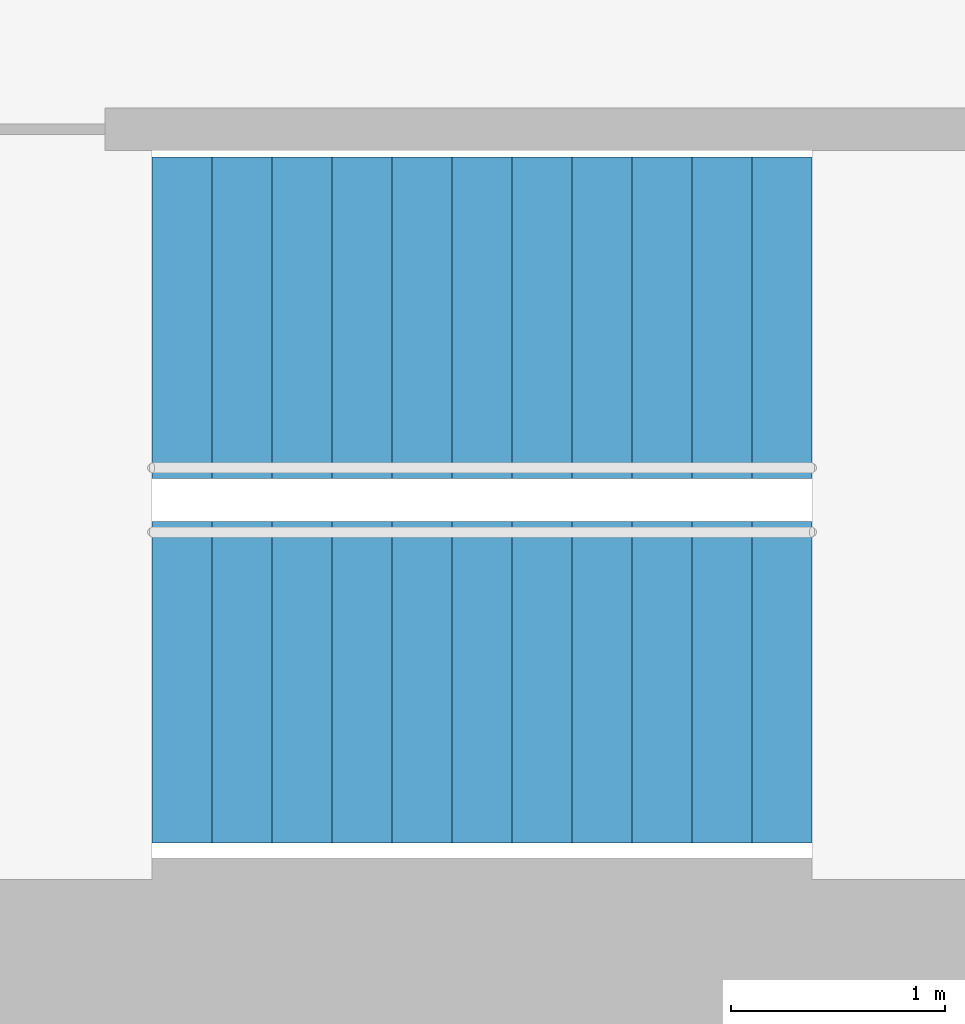
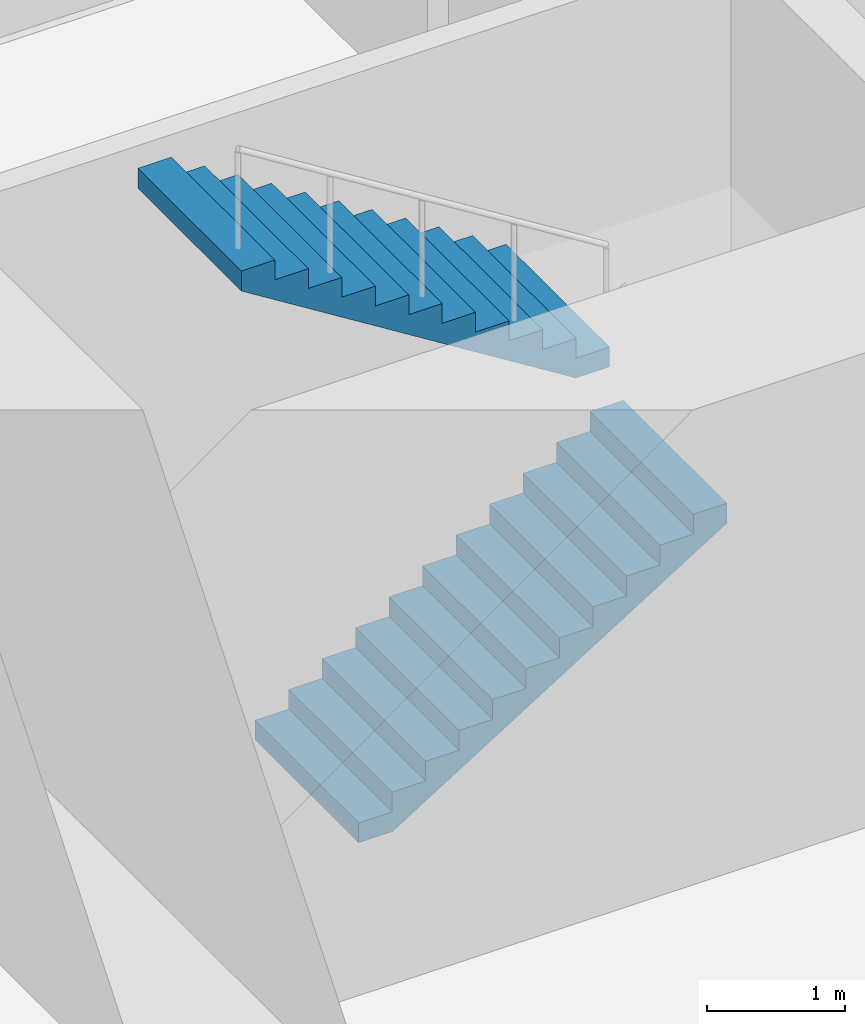
# One storey, part 15 of 17: 2 stair flights, 1 element without a shape of its own.
"""IFC4 building model written with IfcOpenShell, lengths in metres."""

from ifc_helpers import new_model, si_unit, direction, frame, origin, place, context, subcontext, project, spatial, triangles, material, type_object, element, aggregate, save


model = new_model("IFC4")

# Units and contexts
model_context = context("Model", 3, precision=1e-05, world=origin(), true_north=direction((0.0, 1.0)))
body_context = subcontext(model_context, "Body", "Model", "MODEL_VIEW")
ifc_project = project(units=[si_unit("LENGTHUNIT", "METRE"), si_unit("AREAUNIT", "SQUARE_METRE"), si_unit("VOLUMEUNIT", "CUBIC_METRE"), si_unit("PLANEANGLEUNIT", "RADIAN"), si_unit("MASSUNIT", "GRAM", prefix="KILO")], contexts=[model_context])

# Site, building, storey
site_placement = place(None, origin())
site = spatial("IfcSite", under=ifc_project, at=site_placement, CompositionType="ELEMENT")
building_placement = place(site_placement, origin())
building = spatial("IfcBuilding", under=site, at=building_placement, Name="Lantaw Convention Tower", CompositionType="ELEMENT")
storey_placement = place(building_placement, frame((0.0, 0.0, 121.60009765625)))
storey = spatial("IfcBuildingStorey", under=building, at=storey_placement, Name="L28", CompositionType="ELEMENT", Elevation=121.60009765625)

# Stair, stair flights
ifc_material = material(Name="Concrete C35/45", Category="concrete")
stair_type = type_object("IfcStairType", Name="Exit stair 1500 riser 175 in 2 flights", PredefinedType="HALF_TURN_STAIR", material=ifc_material)
stair_placement = place(storey_placement, origin())
stair = element("IfcStair", 1, at=stair_placement, inside=storey, type_object=stair_type, Name="Exit stair S1 L28", PredefinedType="HALF_TURN_STAIR")
stair_flight_type = type_object("IfcStairFlightType", Name="Stair flight 1500 riser 175", PredefinedType="STRAIGHT", material=ifc_material)
stair_flight_1_placement = place(storey_placement, frame((-10.580078125, -5.97998046875, 0.0), z_axis=(0.0, 0.0, 1.0), x_axis=(1.0, 0.0, 0.0)))
stair_flight_1 = element("IfcStairFlight", 2, at=stair_flight_1_placement, type_object=stair_flight_type, Name="S1 flight 1", NumberOfRisers=12, NumberOfTreads=11, PredefinedType="STRAIGHT", RiserHeight=0.175, TreadLength=0.28, context=body_context, shape_type="Tessellation", body=[
    triangles([(0.0, 0.75, 0.0), (0.0, 0.75, 0.175), (0.28, 0.75, 0.0), (0.28, 0.75, 0.175), (0.28, 0.75, 0.35), (0.28283517651771284, 0.75, 0.0), (0.28283517651771284, 0.75, 0.35), (0.56, 0.75, 0.17322801467642948), (0.56, 0.75, 0.35), (0.56, 0.75, 0.5249999999999999), (0.8400000000000001, 0.75, 0.34822801467642944), (0.8400000000000001, 0.75, 0.5249999999999999), (0.8400000000000001, 0.75, 0.7), (1.12, 0.75, 0.5232280146764294), (1.12, 0.75, 0.7), (1.12, 0.75, 0.875), (1.4000000000000001, 0.75, 0.6982280146764295), (1.4000000000000001, 0.75, 0.875), (1.4000000000000001, 0.75, 1.0499999999999998), (1.6800000000000002, 0.75, 0.8732280146764294), (1.6800000000000002, 0.75, 1.0499999999999998), (1.6800000000000002, 0.75, 1.2249999999999999), (1.9600000000000002, 0.75, 1.0482280146764293), (1.9600000000000002, 0.75, 1.2249999999999999), (1.9600000000000002, 0.75, 1.4), (2.24, 0.75, 1.2232280146764294), (2.24, 0.75, 1.4), (2.24, 0.75, 1.575), (2.5200000000000005, 0.75, 1.3982280146764294), (2.5200000000000005, 0.75, 1.575), (2.5200000000000005, 0.75, 1.75), (2.8000000000000003, 0.75, 1.5732280146764293), (2.8000000000000003, 0.75, 1.75), (2.8000000000000003, 0.75, 1.9249999999999998), (3.08, 0.75, 1.7482280146764293), (3.08, 0.75, 1.9249999999999998), (0.0, -0.75, 0.0), (0.0, -0.75, 0.175), (0.28, -0.75, 0.0), (0.28, -0.75, 0.175), (0.28, -0.75, 0.35), (0.28283517651771284, -0.75, 0.0), (0.28283517651771284, -0.75, 0.35), (0.56, -0.75, 0.17322801467642948), (0.56, -0.75, 0.35), (0.56, -0.75, 0.5249999999999999), (0.8400000000000001, -0.75, 0.34822801467642944), (0.8400000000000001, -0.75, 0.5249999999999999), (0.8400000000000001, -0.75, 0.7), (1.12, -0.75, 0.5232280146764294), (1.12, -0.75, 0.7), (1.12, -0.75, 0.875), (1.4000000000000001, -0.75, 0.6982280146764295), (1.4000000000000001, -0.75, 0.875), (1.4000000000000001, -0.75, 1.0499999999999998), (1.6800000000000002, -0.75, 0.8732280146764294), (1.6800000000000002, -0.75, 1.0499999999999998), (1.6800000000000002, -0.75, 1.2249999999999999), (1.9600000000000002, -0.75, 1.0482280146764293), (1.9600000000000002, -0.75, 1.2249999999999999), (1.9600000000000002, -0.75, 1.4), (2.24, -0.75, 1.2232280146764294), (2.24, -0.75, 1.4), (2.24, -0.75, 1.575), (2.5200000000000005, -0.75, 1.3982280146764294), (2.5200000000000005, -0.75, 1.575), (2.5200000000000005, -0.75, 1.75), (2.8000000000000003, -0.75, 1.5732280146764293), (2.8000000000000003, -0.75, 1.75), (2.8000000000000003, -0.75, 1.9249999999999998), (3.08, -0.75, 1.7482280146764293), (3.08, -0.75, 1.9249999999999998), (0.0, 0.15000000000000002, 0.175), (0.0, 0.15000000000000002, 0.0), (0.0, 0.0, 0.175), (0.0, 0.0, 0.0), (0.0, -0.15000000000000002, 0.175), (0.0, -0.15000000000000002, 0.0), (0.28, 0.15000000000000002, 0.35), (0.28, 0.15000000000000002, 0.175), (0.28, 0.0, 0.35), (0.28, 0.0, 0.175), (0.28, -0.15000000000000002, 0.35), (0.28, -0.15000000000000002, 0.175), (0.56, 0.15000000000000002, 0.5249999999999999), (0.56, 0.15000000000000002, 0.35), (0.56, 0.0, 0.5249999999999999), (0.56, 0.0, 0.35), (0.56, -0.15000000000000002, 0.5249999999999999), (0.56, -0.15000000000000002, 0.35), (0.8400000000000001, 0.15000000000000002, 0.7), (0.8400000000000001, 0.15000000000000002, 0.5249999999999999), (0.8400000000000001, 0.0, 0.7), (0.8400000000000001, 0.0, 0.5249999999999999), (0.8400000000000001, -0.15000000000000002, 0.7), (0.8400000000000001, -0.15000000000000002, 0.5249999999999999), (1.12, 0.15000000000000002, 0.875), (1.12, 0.15000000000000002, 0.7), (1.12, 0.0, 0.875), (1.12, 0.0, 0.7), (1.12, -0.15000000000000002, 0.875), (1.12, -0.15000000000000002, 0.7), (1.4000000000000001, 0.15000000000000002, 1.0499999999999998), (1.4000000000000001, 0.15000000000000002, 0.875), (1.4000000000000001, 0.0, 1.0499999999999998), (1.4000000000000001, 0.0, 0.875), (1.4000000000000001, -0.15000000000000002, 1.0499999999999998), (1.4000000000000001, -0.15000000000000002, 0.875), (1.6800000000000002, 0.15000000000000002, 1.2249999999999999), (1.6800000000000002, 0.15000000000000002, 1.0499999999999998), (1.6800000000000002, 0.0, 1.2249999999999999), (1.6800000000000002, 0.0, 1.0499999999999998), (1.6800000000000002, -0.15000000000000002, 1.2249999999999999), (1.6800000000000002, -0.15000000000000002, 1.0499999999999998), (1.9600000000000002, 0.15000000000000002, 1.4), (1.9600000000000002, 0.15000000000000002, 1.2249999999999999), (1.9600000000000002, 0.0, 1.4), (1.9600000000000002, 0.0, 1.2249999999999999), (1.9600000000000002, -0.15000000000000002, 1.4), (1.9600000000000002, -0.15000000000000002, 1.2249999999999999), (2.24, 0.15000000000000002, 1.575), (2.24, 0.15000000000000002, 1.4), (2.24, 0.0, 1.575), (2.24, 0.0, 1.4), (2.24, -0.15000000000000002, 1.575), (2.24, -0.15000000000000002, 1.4), (2.5200000000000005, 0.15000000000000002, 1.75), (2.5200000000000005, 0.15000000000000002, 1.575), (2.5200000000000005, 0.0, 1.75), (2.5200000000000005, 0.0, 1.575), (2.5200000000000005, -0.15000000000000002, 1.75), (2.5200000000000005, -0.15000000000000002, 1.575), (2.8000000000000003, 0.15000000000000002, 1.9249999999999998), (2.8000000000000003, 0.15000000000000002, 1.75), (2.8000000000000003, 0.0, 1.9249999999999998), (2.8000000000000003, 0.0, 1.75), (2.8000000000000003, -0.15000000000000002, 1.9249999999999998), (2.8000000000000003, -0.15000000000000002, 1.75), (0.28283517651771284, 0.15000000000000002, 0.35), (0.28283517651771284, 0.0, 0.35), (0.28283517651771284, -0.15000000000000002, 0.35), (3.08, 0.15000000000000002, 1.9249999999999998), (3.08, 0.0, 1.9249999999999998), (3.08, -0.15000000000000002, 1.9249999999999998), (3.08, 0.15000000000000002, 1.7482280146764293), (3.08, 0.0, 1.7482280146764293), (3.08, -0.15000000000000002, 1.7482280146764293), (2.8000000000000003, 0.15000000000000002, 1.5732280146764293), (2.8000000000000003, 0.0, 1.5732280146764293), (2.8000000000000003, -0.15000000000000002, 1.5732280146764293), (2.5200000000000005, 0.15000000000000002, 1.3982280146764294), (2.5200000000000005, 0.0, 1.3982280146764294), (2.5200000000000005, -0.15000000000000002, 1.3982280146764294), (2.24, 0.15000000000000002, 1.2232280146764294), (2.24, 0.0, 1.2232280146764294), (2.24, -0.15000000000000002, 1.2232280146764294), (1.9600000000000002, 0.15000000000000002, 1.0482280146764293), (1.9600000000000002, 0.0, 1.0482280146764293), (1.9600000000000002, -0.15000000000000002, 1.0482280146764293), (1.6800000000000002, 0.15000000000000002, 0.8732280146764294), (1.6800000000000002, 0.0, 0.8732280146764294), (1.6800000000000002, -0.15000000000000002, 0.8732280146764294), (1.4000000000000001, 0.15000000000000002, 0.6982280146764295), (1.4000000000000001, 0.0, 0.6982280146764295), (1.4000000000000001, -0.15000000000000002, 0.6982280146764295), (1.12, 0.15000000000000002, 0.5232280146764294), (1.12, 0.0, 0.5232280146764294), (1.12, -0.15000000000000002, 0.5232280146764294), (0.8400000000000001, 0.15000000000000002, 0.34822801467642944), (0.8400000000000001, 0.0, 0.34822801467642944), (0.8400000000000001, -0.15000000000000002, 0.34822801467642944), (0.56, 0.15000000000000002, 0.17322801467642948), (0.56, 0.0, 0.17322801467642948), (0.56, -0.15000000000000002, 0.17322801467642948), (0.28283517651771284, 0.15000000000000002, 0.0), (0.28283517651771284, 0.0, 0.0), (0.28283517651771284, -0.15000000000000002, 0.0), (0.28, 0.15000000000000002, 0.0), (0.28, 0.0, 0.0), (0.28, -0.15000000000000002, 0.0)], [[1, 4, 3], [1, 2, 4], [3, 4, 6], [4, 7, 6], [4, 5, 7], [6, 9, 8], [6, 7, 9], [8, 9, 11], [9, 12, 11], [9, 10, 12], [11, 12, 14], [12, 15, 14], [12, 13, 15], [14, 15, 17], [15, 18, 17], [15, 16, 18], [17, 18, 20], [18, 21, 20], [18, 19, 21], [20, 21, 23], [21, 24, 23], [21, 22, 24], [23, 24, 26], [24, 27, 26], [24, 25, 27], [26, 27, 29], [27, 30, 29], [27, 28, 30], [29, 30, 32], [30, 33, 32], [30, 31, 33], [32, 33, 35], [33, 36, 35], [33, 34, 36], [37, 39, 40], [37, 40, 38], [39, 42, 40], [40, 42, 43], [40, 43, 41], [42, 44, 45], [42, 45, 43], [44, 47, 45], [45, 47, 48], [45, 48, 46], [47, 50, 48], [48, 50, 51], [48, 51, 49], [50, 53, 51], [51, 53, 54], [51, 54, 52], [53, 56, 54], [54, 56, 57], [54, 57, 55], [56, 59, 57], [57, 59, 60], [57, 60, 58], [59, 62, 60], [60, 62, 63], [60, 63, 61], [62, 65, 63], [63, 65, 66], [63, 66, 64], [65, 68, 66], [66, 68, 69], [66, 69, 67], [68, 71, 69], [69, 71, 72], [69, 72, 70], [1, 73, 2], [1, 74, 73], [74, 75, 73], [74, 76, 75], [76, 77, 75], [76, 78, 77], [78, 38, 77], [78, 37, 38], [4, 79, 5], [4, 80, 79], [80, 81, 79], [80, 82, 81], [82, 83, 81], [82, 84, 83], [84, 41, 83], [84, 40, 41], [9, 85, 10], [9, 86, 85], [86, 87, 85], [86, 88, 87], [88, 89, 87], [88, 90, 89], [90, 46, 89], [90, 45, 46], [12, 91, 13], [12, 92, 91], [92, 93, 91], [92, 94, 93], [94, 95, 93], [94, 96, 95], [96, 49, 95], [96, 48, 49], [15, 97, 16], [15, 98, 97], [98, 99, 97], [98, 100, 99], [100, 101, 99], [100, 102, 101], [102, 52, 101], [102, 51, 52], [18, 103, 19], [18, 104, 103], [104, 105, 103], [104, 106, 105], [106, 107, 105], [106, 108, 107], [108, 55, 107], [108, 54, 55], [21, 109, 22], [21, 110, 109], [110, 111, 109], [110, 112, 111], [112, 113, 111], [112, 114, 113], [114, 58, 113], [114, 57, 58], [24, 115, 25], [24, 116, 115], [116, 117, 115], [116, 118, 117], [118, 119, 117], [118, 120, 119], [120, 61, 119], [120, 60, 61], [27, 121, 28], [27, 122, 121], [122, 123, 121], [122, 124, 123], [124, 125, 123], [124, 126, 125], [126, 64, 125], [126, 63, 64], [30, 127, 31], [30, 128, 127], [128, 129, 127], [128, 130, 129], [130, 131, 129], [130, 132, 131], [132, 67, 131], [132, 66, 67], [33, 133, 34], [33, 134, 133], [134, 135, 133], [134, 136, 135], [136, 137, 135], [136, 138, 137], [138, 70, 137], [138, 69, 70], [2, 80, 4], [2, 73, 80], [73, 82, 80], [73, 75, 82], [75, 84, 82], [75, 77, 84], [77, 40, 84], [77, 38, 40], [5, 139, 7], [5, 79, 139], [79, 140, 139], [79, 81, 140], [81, 141, 140], [81, 83, 141], [83, 43, 141], [83, 41, 43], [7, 86, 9], [7, 139, 86], [139, 88, 86], [139, 140, 88], [140, 90, 88], [140, 141, 90], [141, 45, 90], [141, 43, 45], [10, 92, 12], [10, 85, 92], [85, 94, 92], [85, 87, 94], [87, 96, 94], [87, 89, 96], [89, 48, 96], [89, 46, 48], [13, 98, 15], [13, 91, 98], [91, 100, 98], [91, 93, 100], [93, 102, 100], [93, 95, 102], [95, 51, 102], [95, 49, 51], [16, 104, 18], [16, 97, 104], [97, 106, 104], [97, 99, 106], [99, 108, 106], [99, 101, 108], [101, 54, 108], [101, 52, 54], [19, 110, 21], [19, 103, 110], [103, 112, 110], [103, 105, 112], [105, 114, 112], [105, 107, 114], [107, 57, 114], [107, 55, 57], [22, 116, 24], [22, 109, 116], [109, 118, 116], [109, 111, 118], [111, 120, 118], [111, 113, 120], [113, 60, 120], [113, 58, 60], [25, 122, 27], [25, 115, 122], [115, 124, 122], [115, 117, 124], [117, 126, 124], [117, 119, 126], [119, 63, 126], [119, 61, 63], [28, 128, 30], [28, 121, 128], [121, 130, 128], [121, 123, 130], [123, 132, 130], [123, 125, 132], [125, 66, 132], [125, 64, 66], [31, 134, 33], [31, 127, 134], [127, 136, 134], [127, 129, 136], [129, 138, 136], [129, 131, 138], [131, 69, 138], [131, 67, 69], [34, 142, 36], [34, 133, 142], [133, 143, 142], [133, 135, 143], [135, 144, 143], [135, 137, 144], [137, 72, 144], [137, 70, 72], [36, 145, 35], [36, 142, 145], [142, 146, 145], [142, 143, 146], [143, 147, 146], [143, 144, 147], [144, 71, 147], [144, 72, 71], [35, 148, 32], [35, 145, 148], [145, 149, 148], [145, 146, 149], [146, 150, 149], [146, 147, 150], [147, 68, 150], [147, 71, 68], [32, 151, 29], [32, 148, 151], [148, 152, 151], [148, 149, 152], [149, 153, 152], [149, 150, 153], [150, 65, 153], [150, 68, 65], [29, 154, 26], [29, 151, 154], [151, 155, 154], [151, 152, 155], [152, 156, 155], [152, 153, 156], [153, 62, 156], [153, 65, 62], [26, 157, 23], [26, 154, 157], [154, 158, 157], [154, 155, 158], [155, 159, 158], [155, 156, 159], [156, 59, 159], [156, 62, 59], [23, 160, 20], [23, 157, 160], [157, 161, 160], [157, 158, 161], [158, 162, 161], [158, 159, 162], [159, 56, 162], [159, 59, 56], [20, 163, 17], [20, 160, 163], [160, 164, 163], [160, 161, 164], [161, 165, 164], [161, 162, 165], [162, 53, 165], [162, 56, 53], [17, 166, 14], [17, 163, 166], [163, 167, 166], [163, 164, 167], [164, 168, 167], [164, 165, 168], [165, 50, 168], [165, 53, 50], [14, 169, 11], [14, 166, 169], [166, 170, 169], [166, 167, 170], [167, 171, 170], [167, 168, 171], [168, 47, 171], [168, 50, 47], [11, 172, 8], [11, 169, 172], [169, 173, 172], [169, 170, 173], [170, 174, 173], [170, 171, 174], [171, 44, 174], [171, 47, 44], [8, 175, 6], [8, 172, 175], [172, 176, 175], [172, 173, 176], [173, 177, 176], [173, 174, 177], [174, 42, 177], [174, 44, 42], [6, 178, 3], [6, 175, 178], [175, 179, 178], [175, 176, 179], [176, 180, 179], [176, 177, 180], [177, 39, 180], [177, 42, 39], [3, 74, 1], [3, 178, 74], [178, 76, 74], [178, 179, 76], [179, 78, 76], [179, 180, 78], [180, 37, 78], [180, 39, 37]], closed=True),
])
stair_flight_2_placement = place(storey_placement, frame((-7.5, -4.280029296875, 2.099853515625), z_axis=(0.0, 0.0, 1.0), x_axis=(-1.0, 0.0, 0.0)))
stair_flight_2 = element("IfcStairFlight", 3, at=stair_flight_2_placement, type_object=stair_flight_type, Name="S1 flight 2", NumberOfRisers=12, NumberOfTreads=11, PredefinedType="STRAIGHT", RiserHeight=0.175, TreadLength=0.28, context=body_context, shape_type="Tessellation", body=[
    triangles([(0.0, 0.75, 0.0), (0.0, 0.75, 0.175), (0.28, 0.75, 0.0), (0.28, 0.75, 0.175), (0.28, 0.75, 0.35), (0.28283517651771284, 0.75, 0.0), (0.28283517651771284, 0.75, 0.35), (0.56, 0.75, 0.17322801467642948), (0.56, 0.75, 0.35), (0.56, 0.75, 0.5249999999999999), (0.8400000000000001, 0.75, 0.34822801467642944), (0.8400000000000001, 0.75, 0.5249999999999999), (0.8400000000000001, 0.75, 0.7), (1.12, 0.75, 0.5232280146764294), (1.12, 0.75, 0.7), (1.12, 0.75, 0.875), (1.4000000000000001, 0.75, 0.6982280146764295), (1.4000000000000001, 0.75, 0.875), (1.4000000000000001, 0.75, 1.0499999999999998), (1.6800000000000002, 0.75, 0.8732280146764294), (1.6800000000000002, 0.75, 1.0499999999999998), (1.6800000000000002, 0.75, 1.2249999999999999), (1.9600000000000002, 0.75, 1.0482280146764293), (1.9600000000000002, 0.75, 1.2249999999999999), (1.9600000000000002, 0.75, 1.4), (2.24, 0.75, 1.2232280146764294), (2.24, 0.75, 1.4), (2.24, 0.75, 1.575), (2.5200000000000005, 0.75, 1.3982280146764294), (2.5200000000000005, 0.75, 1.575), (2.5200000000000005, 0.75, 1.75), (2.8000000000000003, 0.75, 1.5732280146764293), (2.8000000000000003, 0.75, 1.75), (2.8000000000000003, 0.75, 1.9249999999999998), (3.08, 0.75, 1.7482280146764293), (3.08, 0.75, 1.9249999999999998), (0.0, -0.75, 0.0), (0.0, -0.75, 0.175), (0.28, -0.75, 0.0), (0.28, -0.75, 0.175), (0.28, -0.75, 0.35), (0.28283517651771284, -0.75, 0.0), (0.28283517651771284, -0.75, 0.35), (0.56, -0.75, 0.17322801467642948), (0.56, -0.75, 0.35), (0.56, -0.75, 0.5249999999999999), (0.8400000000000001, -0.75, 0.34822801467642944), (0.8400000000000001, -0.75, 0.5249999999999999), (0.8400000000000001, -0.75, 0.7), (1.12, -0.75, 0.5232280146764294), (1.12, -0.75, 0.7), (1.12, -0.75, 0.875), (1.4000000000000001, -0.75, 0.6982280146764295), (1.4000000000000001, -0.75, 0.875), (1.4000000000000001, -0.75, 1.0499999999999998), (1.6800000000000002, -0.75, 0.8732280146764294), (1.6800000000000002, -0.75, 1.0499999999999998), (1.6800000000000002, -0.75, 1.2249999999999999), (1.9600000000000002, -0.75, 1.0482280146764293), (1.9600000000000002, -0.75, 1.2249999999999999), (1.9600000000000002, -0.75, 1.4), (2.24, -0.75, 1.2232280146764294), (2.24, -0.75, 1.4), (2.24, -0.75, 1.575), (2.5200000000000005, -0.75, 1.3982280146764294), (2.5200000000000005, -0.75, 1.575), (2.5200000000000005, -0.75, 1.75), (2.8000000000000003, -0.75, 1.5732280146764293), (2.8000000000000003, -0.75, 1.75), (2.8000000000000003, -0.75, 1.9249999999999998), (3.08, -0.75, 1.7482280146764293), (3.08, -0.75, 1.9249999999999998), (0.0, 0.15000000000000002, 0.175), (0.0, 0.15000000000000002, 0.0), (0.0, 0.0, 0.175), (0.0, 0.0, 0.0), (0.0, -0.15000000000000002, 0.175), (0.0, -0.15000000000000002, 0.0), (0.28, 0.15000000000000002, 0.35), (0.28, 0.15000000000000002, 0.175), (0.28, 0.0, 0.35), (0.28, 0.0, 0.175), (0.28, -0.15000000000000002, 0.35), (0.28, -0.15000000000000002, 0.175), (0.56, 0.15000000000000002, 0.5249999999999999), (0.56, 0.15000000000000002, 0.35), (0.56, 0.0, 0.5249999999999999), (0.56, 0.0, 0.35), (0.56, -0.15000000000000002, 0.5249999999999999), (0.56, -0.15000000000000002, 0.35), (0.8400000000000001, 0.15000000000000002, 0.7), (0.8400000000000001, 0.15000000000000002, 0.5249999999999999), (0.8400000000000001, 0.0, 0.7), (0.8400000000000001, 0.0, 0.5249999999999999), (0.8400000000000001, -0.15000000000000002, 0.7), (0.8400000000000001, -0.15000000000000002, 0.5249999999999999), (1.12, 0.15000000000000002, 0.875), (1.12, 0.15000000000000002, 0.7), (1.12, 0.0, 0.875), (1.12, 0.0, 0.7), (1.12, -0.15000000000000002, 0.875), (1.12, -0.15000000000000002, 0.7), (1.4000000000000001, 0.15000000000000002, 1.0499999999999998), (1.4000000000000001, 0.15000000000000002, 0.875), (1.4000000000000001, 0.0, 1.0499999999999998), (1.4000000000000001, 0.0, 0.875), (1.4000000000000001, -0.15000000000000002, 1.0499999999999998), (1.4000000000000001, -0.15000000000000002, 0.875), (1.6800000000000002, 0.15000000000000002, 1.2249999999999999), (1.6800000000000002, 0.15000000000000002, 1.0499999999999998), (1.6800000000000002, 0.0, 1.2249999999999999), (1.6800000000000002, 0.0, 1.0499999999999998), (1.6800000000000002, -0.15000000000000002, 1.2249999999999999), (1.6800000000000002, -0.15000000000000002, 1.0499999999999998), (1.9600000000000002, 0.15000000000000002, 1.4), (1.9600000000000002, 0.15000000000000002, 1.2249999999999999), (1.9600000000000002, 0.0, 1.4), (1.9600000000000002, 0.0, 1.2249999999999999), (1.9600000000000002, -0.15000000000000002, 1.4), (1.9600000000000002, -0.15000000000000002, 1.2249999999999999), (2.24, 0.15000000000000002, 1.575), (2.24, 0.15000000000000002, 1.4), (2.24, 0.0, 1.575), (2.24, 0.0, 1.4), (2.24, -0.15000000000000002, 1.575), (2.24, -0.15000000000000002, 1.4), (2.5200000000000005, 0.15000000000000002, 1.75), (2.5200000000000005, 0.15000000000000002, 1.575), (2.5200000000000005, 0.0, 1.75), (2.5200000000000005, 0.0, 1.575), (2.5200000000000005, -0.15000000000000002, 1.75), (2.5200000000000005, -0.15000000000000002, 1.575), (2.8000000000000003, 0.15000000000000002, 1.9249999999999998), (2.8000000000000003, 0.15000000000000002, 1.75), (2.8000000000000003, 0.0, 1.9249999999999998), (2.8000000000000003, 0.0, 1.75), (2.8000000000000003, -0.15000000000000002, 1.9249999999999998), (2.8000000000000003, -0.15000000000000002, 1.75), (0.28283517651771284, 0.15000000000000002, 0.35), (0.28283517651771284, 0.0, 0.35), (0.28283517651771284, -0.15000000000000002, 0.35), (3.08, 0.15000000000000002, 1.9249999999999998), (3.08, 0.0, 1.9249999999999998), (3.08, -0.15000000000000002, 1.9249999999999998), (3.08, 0.15000000000000002, 1.7482280146764293), (3.08, 0.0, 1.7482280146764293), (3.08, -0.15000000000000002, 1.7482280146764293), (2.8000000000000003, 0.15000000000000002, 1.5732280146764293), (2.8000000000000003, 0.0, 1.5732280146764293), (2.8000000000000003, -0.15000000000000002, 1.5732280146764293), (2.5200000000000005, 0.15000000000000002, 1.3982280146764294), (2.5200000000000005, 0.0, 1.3982280146764294), (2.5200000000000005, -0.15000000000000002, 1.3982280146764294), (2.24, 0.15000000000000002, 1.2232280146764294), (2.24, 0.0, 1.2232280146764294), (2.24, -0.15000000000000002, 1.2232280146764294), (1.9600000000000002, 0.15000000000000002, 1.0482280146764293), (1.9600000000000002, 0.0, 1.0482280146764293), (1.9600000000000002, -0.15000000000000002, 1.0482280146764293), (1.6800000000000002, 0.15000000000000002, 0.8732280146764294), (1.6800000000000002, 0.0, 0.8732280146764294), (1.6800000000000002, -0.15000000000000002, 0.8732280146764294), (1.4000000000000001, 0.15000000000000002, 0.6982280146764295), (1.4000000000000001, 0.0, 0.6982280146764295), (1.4000000000000001, -0.15000000000000002, 0.6982280146764295), (1.12, 0.15000000000000002, 0.5232280146764294), (1.12, 0.0, 0.5232280146764294), (1.12, -0.15000000000000002, 0.5232280146764294), (0.8400000000000001, 0.15000000000000002, 0.34822801467642944), (0.8400000000000001, 0.0, 0.34822801467642944), (0.8400000000000001, -0.15000000000000002, 0.34822801467642944), (0.56, 0.15000000000000002, 0.17322801467642948), (0.56, 0.0, 0.17322801467642948), (0.56, -0.15000000000000002, 0.17322801467642948), (0.28283517651771284, 0.15000000000000002, 0.0), (0.28283517651771284, 0.0, 0.0), (0.28283517651771284, -0.15000000000000002, 0.0), (0.28, 0.15000000000000002, 0.0), (0.28, 0.0, 0.0), (0.28, -0.15000000000000002, 0.0)], [[1, 4, 3], [1, 2, 4], [3, 4, 6], [4, 7, 6], [4, 5, 7], [6, 9, 8], [6, 7, 9], [8, 9, 11], [9, 12, 11], [9, 10, 12], [11, 12, 14], [12, 15, 14], [12, 13, 15], [14, 15, 17], [15, 18, 17], [15, 16, 18], [17, 18, 20], [18, 21, 20], [18, 19, 21], [20, 21, 23], [21, 24, 23], [21, 22, 24], [23, 24, 26], [24, 27, 26], [24, 25, 27], [26, 27, 29], [27, 30, 29], [27, 28, 30], [29, 30, 32], [30, 33, 32], [30, 31, 33], [32, 33, 35], [33, 36, 35], [33, 34, 36], [37, 39, 40], [37, 40, 38], [39, 42, 40], [40, 42, 43], [40, 43, 41], [42, 44, 45], [42, 45, 43], [44, 47, 45], [45, 47, 48], [45, 48, 46], [47, 50, 48], [48, 50, 51], [48, 51, 49], [50, 53, 51], [51, 53, 54], [51, 54, 52], [53, 56, 54], [54, 56, 57], [54, 57, 55], [56, 59, 57], [57, 59, 60], [57, 60, 58], [59, 62, 60], [60, 62, 63], [60, 63, 61], [62, 65, 63], [63, 65, 66], [63, 66, 64], [65, 68, 66], [66, 68, 69], [66, 69, 67], [68, 71, 69], [69, 71, 72], [69, 72, 70], [1, 73, 2], [1, 74, 73], [74, 75, 73], [74, 76, 75], [76, 77, 75], [76, 78, 77], [78, 38, 77], [78, 37, 38], [4, 79, 5], [4, 80, 79], [80, 81, 79], [80, 82, 81], [82, 83, 81], [82, 84, 83], [84, 41, 83], [84, 40, 41], [9, 85, 10], [9, 86, 85], [86, 87, 85], [86, 88, 87], [88, 89, 87], [88, 90, 89], [90, 46, 89], [90, 45, 46], [12, 91, 13], [12, 92, 91], [92, 93, 91], [92, 94, 93], [94, 95, 93], [94, 96, 95], [96, 49, 95], [96, 48, 49], [15, 97, 16], [15, 98, 97], [98, 99, 97], [98, 100, 99], [100, 101, 99], [100, 102, 101], [102, 52, 101], [102, 51, 52], [18, 103, 19], [18, 104, 103], [104, 105, 103], [104, 106, 105], [106, 107, 105], [106, 108, 107], [108, 55, 107], [108, 54, 55], [21, 109, 22], [21, 110, 109], [110, 111, 109], [110, 112, 111], [112, 113, 111], [112, 114, 113], [114, 58, 113], [114, 57, 58], [24, 115, 25], [24, 116, 115], [116, 117, 115], [116, 118, 117], [118, 119, 117], [118, 120, 119], [120, 61, 119], [120, 60, 61], [27, 121, 28], [27, 122, 121], [122, 123, 121], [122, 124, 123], [124, 125, 123], [124, 126, 125], [126, 64, 125], [126, 63, 64], [30, 127, 31], [30, 128, 127], [128, 129, 127], [128, 130, 129], [130, 131, 129], [130, 132, 131], [132, 67, 131], [132, 66, 67], [33, 133, 34], [33, 134, 133], [134, 135, 133], [134, 136, 135], [136, 137, 135], [136, 138, 137], [138, 70, 137], [138, 69, 70], [2, 80, 4], [2, 73, 80], [73, 82, 80], [73, 75, 82], [75, 84, 82], [75, 77, 84], [77, 40, 84], [77, 38, 40], [5, 139, 7], [5, 79, 139], [79, 140, 139], [79, 81, 140], [81, 141, 140], [81, 83, 141], [83, 43, 141], [83, 41, 43], [7, 86, 9], [7, 139, 86], [139, 88, 86], [139, 140, 88], [140, 90, 88], [140, 141, 90], [141, 45, 90], [141, 43, 45], [10, 92, 12], [10, 85, 92], [85, 94, 92], [85, 87, 94], [87, 96, 94], [87, 89, 96], [89, 48, 96], [89, 46, 48], [13, 98, 15], [13, 91, 98], [91, 100, 98], [91, 93, 100], [93, 102, 100], [93, 95, 102], [95, 51, 102], [95, 49, 51], [16, 104, 18], [16, 97, 104], [97, 106, 104], [97, 99, 106], [99, 108, 106], [99, 101, 108], [101, 54, 108], [101, 52, 54], [19, 110, 21], [19, 103, 110], [103, 112, 110], [103, 105, 112], [105, 114, 112], [105, 107, 114], [107, 57, 114], [107, 55, 57], [22, 116, 24], [22, 109, 116], [109, 118, 116], [109, 111, 118], [111, 120, 118], [111, 113, 120], [113, 60, 120], [113, 58, 60], [25, 122, 27], [25, 115, 122], [115, 124, 122], [115, 117, 124], [117, 126, 124], [117, 119, 126], [119, 63, 126], [119, 61, 63], [28, 128, 30], [28, 121, 128], [121, 130, 128], [121, 123, 130], [123, 132, 130], [123, 125, 132], [125, 66, 132], [125, 64, 66], [31, 134, 33], [31, 127, 134], [127, 136, 134], [127, 129, 136], [129, 138, 136], [129, 131, 138], [131, 69, 138], [131, 67, 69], [34, 142, 36], [34, 133, 142], [133, 143, 142], [133, 135, 143], [135, 144, 143], [135, 137, 144], [137, 72, 144], [137, 70, 72], [36, 145, 35], [36, 142, 145], [142, 146, 145], [142, 143, 146], [143, 147, 146], [143, 144, 147], [144, 71, 147], [144, 72, 71], [35, 148, 32], [35, 145, 148], [145, 149, 148], [145, 146, 149], [146, 150, 149], [146, 147, 150], [147, 68, 150], [147, 71, 68], [32, 151, 29], [32, 148, 151], [148, 152, 151], [148, 149, 152], [149, 153, 152], [149, 150, 153], [150, 65, 153], [150, 68, 65], [29, 154, 26], [29, 151, 154], [151, 155, 154], [151, 152, 155], [152, 156, 155], [152, 153, 156], [153, 62, 156], [153, 65, 62], [26, 157, 23], [26, 154, 157], [154, 158, 157], [154, 155, 158], [155, 159, 158], [155, 156, 159], [156, 59, 159], [156, 62, 59], [23, 160, 20], [23, 157, 160], [157, 161, 160], [157, 158, 161], [158, 162, 161], [158, 159, 162], [159, 56, 162], [159, 59, 56], [20, 163, 17], [20, 160, 163], [160, 164, 163], [160, 161, 164], [161, 165, 164], [161, 162, 165], [162, 53, 165], [162, 56, 53], [17, 166, 14], [17, 163, 166], [163, 167, 166], [163, 164, 167], [164, 168, 167], [164, 165, 168], [165, 50, 168], [165, 53, 50], [14, 169, 11], [14, 166, 169], [166, 170, 169], [166, 167, 170], [167, 171, 170], [167, 168, 171], [168, 47, 171], [168, 50, 47], [11, 172, 8], [11, 169, 172], [169, 173, 172], [169, 170, 173], [170, 174, 173], [170, 171, 174], [171, 44, 174], [171, 47, 44], [8, 175, 6], [8, 172, 175], [172, 176, 175], [172, 173, 176], [173, 177, 176], [173, 174, 177], [174, 42, 177], [174, 44, 42], [6, 178, 3], [6, 175, 178], [175, 179, 178], [175, 176, 179], [176, 180, 179], [176, 177, 180], [177, 39, 180], [177, 42, 39], [3, 74, 1], [3, 178, 74], [178, 76, 74], [178, 179, 76], [179, 78, 76], [179, 180, 78], [180, 37, 78], [180, 39, 37]], closed=True),
])
aggregate(stair, [stair_flight_1, stair_flight_2])

save(model, "model.ifc")
